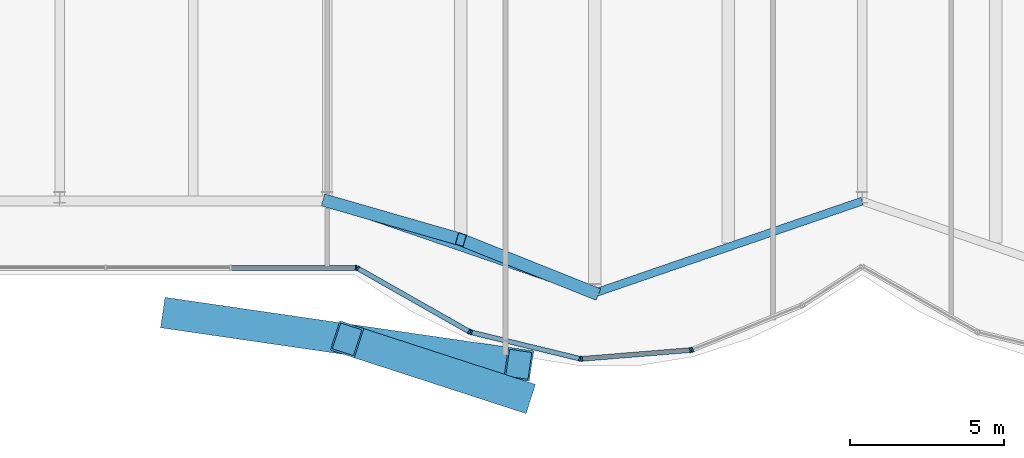
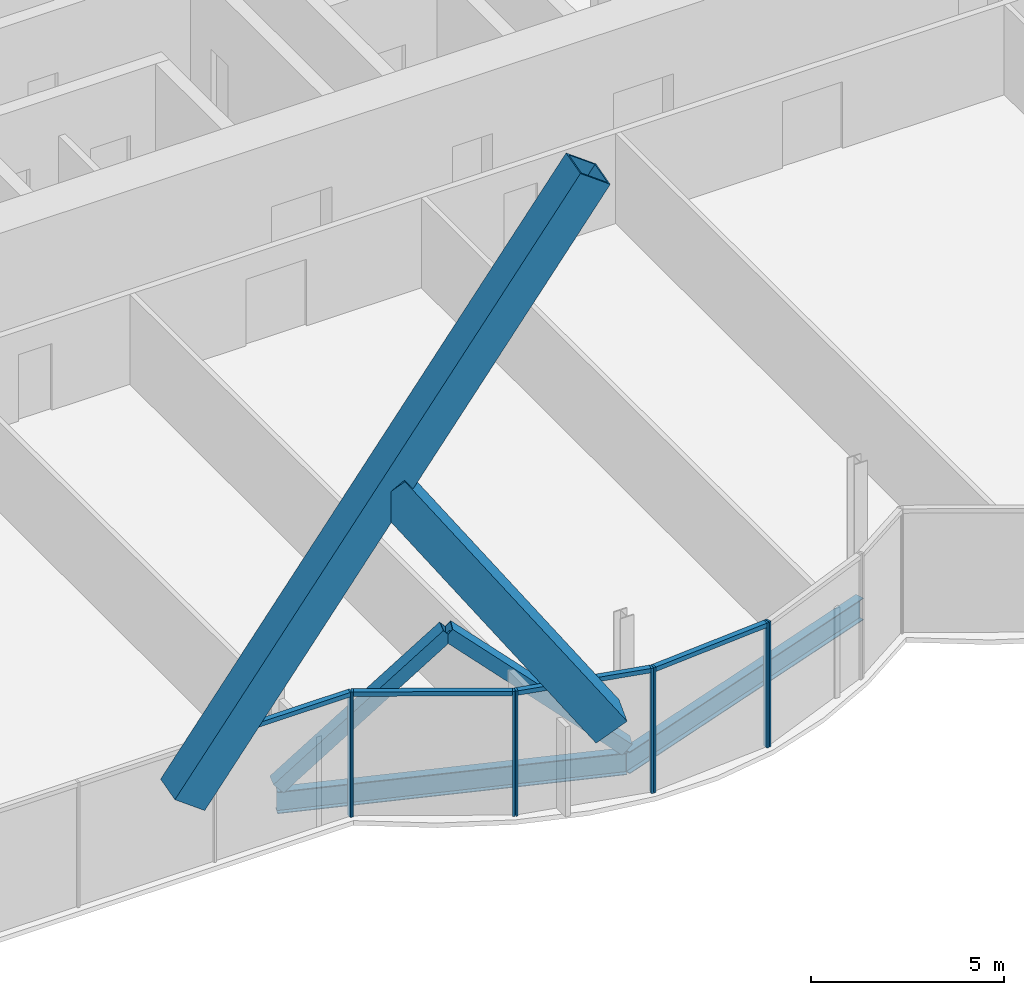
# One storey, part 6 of 23: 16 members, 2 beams, 2 elements without a shape of their own.
"""IFC4 building model written with IfcOpenShell, lengths in metres."""

from ifc_helpers import new_model, si_unit, direction, frame, origin, origin_2d, place, context, subcontext, project, spatial, rectangle, hollow_rectangle, i_section, extrude, material, material_profile, profile_set, type_object, element, aggregate, save


model = new_model("IFC4")

# Units and contexts
model_context = context("Model", 3, precision=1e-05, world=origin(), true_north=direction((0.0, 1.0)))
body_context = subcontext(model_context, "Body", "Model", "MODEL_VIEW")
ifc_project = project(units=[si_unit("LENGTHUNIT", "METRE"), si_unit("AREAUNIT", "SQUARE_METRE"), si_unit("VOLUMEUNIT", "CUBIC_METRE"), si_unit("PLANEANGLEUNIT", "RADIAN"), si_unit("MASSUNIT", "GRAM", prefix="KILO")], contexts=[model_context])

# Site, building, storey
site_placement = place(None, origin())
site = spatial("IfcSite", under=ifc_project, at=site_placement, CompositionType="ELEMENT")
building_placement = place(site_placement, origin())
building = spatial("IfcBuilding", under=site, at=building_placement, Name="Bicima Exchange Tower", CompositionType="ELEMENT")
storey_placement = place(building_placement, frame((0.0, 0.0, 152.699951171875)))
storey = spatial("IfcBuildingStorey", under=building, at=storey_placement, Name="L33", CompositionType="ELEMENT", Elevation=152.699951171875)

# Members
ifc_material_1 = material(Name="Steel ASTM A572 Gr 50", Category="steel")
ifc_material_profile_1 = material_profile(ifc_material_1, hollow_rectangle(XDim=1.0, YDim=1.0, WallThickness=0.06005859375, at=origin_2d()))
ifc_profile_set_1 = profile_set([ifc_material_profile_1], Name="Steel ASTM A572 Gr 50")
member_type_1 = type_object("IfcMemberType", Name="Exo mega brace BOX 1000x1000x60", PredefinedType="BRACE", material=ifc_profile_set_1)
member_1_placement = place(storey_placement, frame((-22.333251953125, -36.69580078125, 3.63330078125), z_axis=(0.551009199792, -0.080101013805, 0.830645947039), x_axis=(0.143859330984, 0.989598147173, 0.0)))
element("IfcMember", 1, at=member_1_placement, inside=storey, type_object=member_type_1, Name="Exo mega brace front", PredefinedType="BRACE", context=body_context, shape_type="SweptSolid", body=[
    extrude(hollow_rectangle(XDim=1.0, YDim=1.0, WallThickness=0.06005859375, at=origin_2d()), origin(), (0.0, 0.0, 1.0), 20.265625),
])
member_2_placement = place(storey_placement, frame((-11.166748046875, -39.32080078125, 3.63330078125), z_axis=(-0.54408500506, 0.176722349801, 0.820207728779), x_axis=(-0.308919619435, -0.95108814982, 0.0)))
element("IfcMember", 2, at=member_2_placement, inside=storey, type_object=member_type_1, Name="Exo mega brace front", PredefinedType="BRACE", context=body_context, shape_type="SweptSolid", body=[
    extrude(hollow_rectangle(XDim=1.0, YDim=1.0, WallThickness=0.06005859375, at=origin_2d()), origin(), (0.0, 0.0, 1.0), 10.26171875),
])

# Beams
ifc_material_2 = material(Name="Steel ASTM A992 Gr 50", Category="steel")
ifc_material_profile_2 = material_profile(ifc_material_2, i_section(OverallWidth=0.256591796875, OverallDepth=0.693359375, WebThickness=0.014404296875, FlangeThickness=0.023681640625, at=origin_2d()))
ifc_profile_set_2 = profile_set([ifc_material_profile_2], Name="Steel ASTM A992 Gr 50")
beam_type = type_object("IfcBeamType", Name="Front girder W27x114", PredefinedType="BEAM", material=ifc_profile_set_2)
for number, where, z_axis, x_axis, name in (
    (3, (-17.39990234375, -33.011962890625, -0.49658203125), (0.945666456746, -0.325138359143, 0.0), (0.325138359143, 0.945666456746, 0.0), "Front girder"),
    (4, (-8.699951171875, -36.003173828125, -0.49658203125), (0.945666456746, 0.325138359143, 0.0), (-0.325138359143, 0.945666456746, 0.0), "Front girder"),
):
    element("IfcBeam", number, at=place(storey_placement, frame(where, z_axis=z_axis, x_axis=x_axis)), inside=storey, type_object=beam_type, Name=name, PredefinedType="BEAM", context=body_context, shape_type="SweptSolid", body=[
        extrude(i_section(OverallWidth=0.256591796875, OverallDepth=0.693359375, WebThickness=0.014404296875, FlangeThickness=0.023681640625, at=origin_2d()), origin(), (0.0, 0.0, 1.0), 9.19970703125),
    ])

# Curtain wall, member
ifc_material_3 = material(Name="Anodised bronze aluminium", Category="aluminium")
curtain_wall_type = type_object("IfcCurtainWallType", Name="Front glass wall", PredefinedType="NOTDEFINED", material=ifc_material_3)
curtain_wall_1_placement = place(storey_placement, origin())
curtain_wall_1 = element("IfcCurtainWall", 5, at=curtain_wall_1_placement, inside=storey, type_object=curtain_wall_type, Name="Front glass wall L33 run 5", PredefinedType="NOTDEFINED")
ifc_material_profile_3 = material_profile(ifc_material_3, rectangle(XDim=0.159912109375, YDim=0.06005859375, at=origin_2d()))
ifc_profile_set_3 = profile_set([ifc_material_profile_3], Name="Anodised bronze aluminium")
member_type_2 = type_object("IfcMemberType", Name="Front glass wall mullion 60 x 160", PredefinedType="MULLION", material=ifc_profile_set_3)
member_3_placement = place(storey_placement, frame((-16.462158203125, -35.181884765625, 0.0), z_axis=(0.0, 0.0, 1.0), x_axis=(0.0, 1.0, 0.0)))
member_3 = element("IfcMember", 6, at=member_3_placement, type_object=member_type_2, Name="Front glass wall mullion 5", PredefinedType="MULLION", context=body_context, shape_type="SweptSolid", body=[
    extrude(rectangle(XDim=0.159912109375, YDim=0.06005859375, at=origin_2d()), origin(), (0.0, 0.0, 1.0), 3.949951171875),
])

# Curtain wall, members
curtain_wall_2_placement = place(storey_placement, origin())
curtain_wall_2 = element("IfcCurtainWall", 7, at=curtain_wall_2_placement, inside=storey, type_object=curtain_wall_type, Name="Front glass wall L33 run 6", PredefinedType="NOTDEFINED")
member_4_placement = place(storey_placement, frame((-16.406005859375, -35.19677734375, 0.0), z_axis=(0.0, 0.0, 1.0), x_axis=(0.493395449343, 0.869805110681, 0.0)))
member_4 = element("IfcMember", 8, at=member_4_placement, type_object=member_type_2, Name="Front glass wall mullion 1", PredefinedType="MULLION", context=body_context, shape_type="SweptSolid", body=[
    extrude(rectangle(XDim=0.159912109375, YDim=0.06005859375, at=origin_2d()), origin(), (0.0, 0.0, 1.0), 3.949951171875),
])
member_5_placement = place(storey_placement, frame((-12.7734375, -37.25732421875, 0.0), z_axis=(0.0, 0.0, 1.0), x_axis=(0.493395449343, 0.869805110681, 0.0)))
member_5 = element("IfcMember", 9, at=member_5_placement, type_object=member_type_2, Name="Front glass wall mullion 2", PredefinedType="MULLION", context=body_context, shape_type="SweptSolid", body=[
    extrude(rectangle(XDim=0.159912109375, YDim=0.06005859375, at=origin_2d()), origin(), (0.0, 0.0, 1.0), 3.949951171875),
])
member_6_placement = place(storey_placement, frame((-12.718017578125, -37.279296875, 0.0), z_axis=(0.0, 0.0, 1.0), x_axis=(0.235681529503, 0.971830343553, 0.0)))
member_6 = element("IfcMember", 10, at=member_6_placement, type_object=member_type_2, Name="Front glass wall mullion 1", PredefinedType="MULLION", context=body_context, shape_type="SweptSolid", body=[
    extrude(rectangle(XDim=0.159912109375, YDim=0.06005859375, at=origin_2d()), origin(), (0.0, 0.0, 1.0), 3.949951171875),
])
member_7_placement = place(storey_placement, frame((-9.177490234375, -38.137939453125, 0.0), z_axis=(0.0, 0.0, 1.0), x_axis=(0.235681529503, 0.971830343553, 0.0)))
member_7 = element("IfcMember", 11, at=member_7_placement, type_object=member_type_2, Name="Front glass wall mullion 2", PredefinedType="MULLION", context=body_context, shape_type="SweptSolid", body=[
    extrude(rectangle(XDim=0.159912109375, YDim=0.06005859375, at=origin_2d()), origin(), (0.0, 0.0, 1.0), 3.949951171875),
])
member_8_placement = place(storey_placement, frame((-9.118408203125, -38.142578125, 0.0), z_axis=(0.0, 0.0, 1.0), x_axis=(-0.080588612633, 0.99674744821, 0.0)))
member_8 = element("IfcMember", 12, at=member_8_placement, type_object=member_type_2, Name="Front glass wall mullion 1", PredefinedType="MULLION", context=body_context, shape_type="SweptSolid", body=[
    extrude(rectangle(XDim=0.159912109375, YDim=0.06005859375, at=origin_2d()), origin(), (0.0, 0.0, 1.0), 3.949951171875),
])
member_9_placement = place(storey_placement, frame((-5.583984375, -37.856689453125, 0.0), z_axis=(0.0, 0.0, 1.0), x_axis=(-0.080588612633, 0.99674744821, 0.0)))
member_9 = element("IfcMember", 13, at=member_9_placement, type_object=member_type_2, Name="Front glass wall mullion 2", PredefinedType="MULLION", context=body_context, shape_type="SweptSolid", body=[
    extrude(rectangle(XDim=0.159912109375, YDim=0.06005859375, at=origin_2d()), origin(), (0.0, 0.0, 1.0), 3.949951171875),
])
member_10_placement = place(storey_placement, frame((-5.526123046875, -37.84326171875, 0.0), z_axis=(0.0, 0.0, 1.0), x_axis=(-0.374705304, 0.92714396679, 0.0)))
member_10 = element("IfcMember", 14, at=member_10_placement, type_object=member_type_2, Name="Front glass wall mullion 1", PredefinedType="MULLION", context=body_context, shape_type="SweptSolid", body=[
    extrude(rectangle(XDim=0.159912109375, YDim=0.06005859375, at=origin_2d()), origin(), (0.0, 0.0, 1.0), 3.949951171875),
])

# Member
ifc_material_profile_4 = material_profile(ifc_material_3, rectangle(XDim=0.159912109375, YDim=0.139892578125, at=origin_2d()))
ifc_profile_set_4 = profile_set([ifc_material_profile_4], Name="Anodised bronze aluminium")
member_type_3 = type_object("IfcMemberType", Name="Front glass wall transom 140 x 160", PredefinedType="USERDEFINED", material=ifc_profile_set_4)
member_11_placement = place(storey_placement, frame((-20.501708984375, -35.181884765625, 3.880126953125), z_axis=(1.0, 0.0, 0.0), x_axis=(0.0, 1.0, 0.0)))
member_11 = element("IfcMember", 15, at=member_11_placement, type_object=member_type_3, Name="Front glass wall transom 4.1", ObjectType="TRANSOM", PredefinedType="USERDEFINED", context=body_context, shape_type="SweptSolid", body=[
    extrude(rectangle(XDim=0.159912109375, YDim=0.139892578125, at=origin_2d()), origin(), (0.0, 0.0, 1.0), 4.009521484375),
])

aggregate(curtain_wall_1, [member_3, member_11])

member_12_placement = place(storey_placement, frame((-16.3798828125, -35.211669921875, 3.880126953125), z_axis=(0.869797371721, -0.49340909208, 0.0), x_axis=(0.49340909208, 0.869797371721, 0.0)))
member_12 = element("IfcMember", 16, at=member_12_placement, type_object=member_type_3, Name="Front glass wall transom 1.1", ObjectType="TRANSOM", PredefinedType="USERDEFINED", context=body_context, shape_type="SweptSolid", body=[
    extrude(rectangle(XDim=0.159912109375, YDim=0.139892578125, at=origin_2d()), origin(), (0.0, 0.0, 1.0), 4.1162109375),
])

member_13_placement = place(storey_placement, frame((-12.68896484375, -37.286376953125, 3.880126953125), z_axis=(0.971833557815, -0.235668275132, 0.0), x_axis=(0.235668275132, 0.971833557815, 0.0)))
member_13 = element("IfcMember", 17, at=member_13_placement, type_object=member_type_3, Name="Front glass wall transom 1.1", ObjectType="TRANSOM", PredefinedType="USERDEFINED", context=body_context, shape_type="SweptSolid", body=[
    extrude(rectangle(XDim=0.159912109375, YDim=0.139892578125, at=origin_2d()), origin(), (0.0, 0.0, 1.0), 3.583251953125),
])

member_14_placement = place(storey_placement, frame((-9.08837890625, -38.14013671875, 3.880126953125), z_axis=(0.9967456465, 0.080610893699, 0.0), x_axis=(-0.080610893699, 0.9967456465, 0.0)))
member_14 = element("IfcMember", 18, at=member_14_placement, type_object=member_type_3, Name="Front glass wall transom 1.1", ObjectType="TRANSOM", PredefinedType="USERDEFINED", context=body_context, shape_type="SweptSolid", body=[
    extrude(rectangle(XDim=0.159912109375, YDim=0.139892578125, at=origin_2d()), origin(), (0.0, 0.0, 1.0), 3.48583984375),
])

aggregate(curtain_wall_2, [member_4, member_5, member_12, member_6, member_7, member_13, member_8, member_9, member_14, member_10])

# Members
ifc_material_profile_5 = material_profile(ifc_material_1, hollow_rectangle(XDim=0.406494140625, YDim=0.406494140625, WallThickness=0.017822265625, at=origin_2d()))
ifc_profile_set_5 = profile_set([ifc_material_profile_5], Name="Steel ASTM A572 Gr 50")
member_type_4 = type_object("IfcMemberType", Name="Mega brace HSS16x16x3/4", PredefinedType="BRACE", material=ifc_profile_set_5)
member_15_placement = place(storey_placement, frame((-17.39990234375, -33.011962890625, 0.0), z_axis=(0.71224719859, -0.204915481842, 0.671352048781), x_axis=(0.27648739579, 0.961017544049, 0.0)))
element("IfcMember", 19, at=member_15_placement, inside=storey, type_object=member_type_4, Name="Mega brace front", PredefinedType="BRACE", context=body_context, shape_type="SweptSolid", body=[
    extrude(hollow_rectangle(XDim=0.406494140625, YDim=0.406494140625, WallThickness=0.017822265625, at=origin_2d()), origin(), (0.0, 0.0, 1.0), 6.107177734375),
])
member_16_placement = place(storey_placement, frame((-8.699951171875, -36.003173828125, 0.0), z_axis=(-0.698718538106, 0.279440358208, 0.65856320176), x_axis=(-0.3713367687, -0.928498252132, 0.0)))
element("IfcMember", 20, at=member_16_placement, inside=storey, type_object=member_type_4, Name="Mega brace front", PredefinedType="BRACE", context=body_context, shape_type="SweptSolid", body=[
    extrude(hollow_rectangle(XDim=0.406494140625, YDim=0.406494140625, WallThickness=0.017822265625, at=origin_2d()), origin(), (0.0, 0.0, 1.0), 6.225830078125),
])

save(model, "model.ifc")
